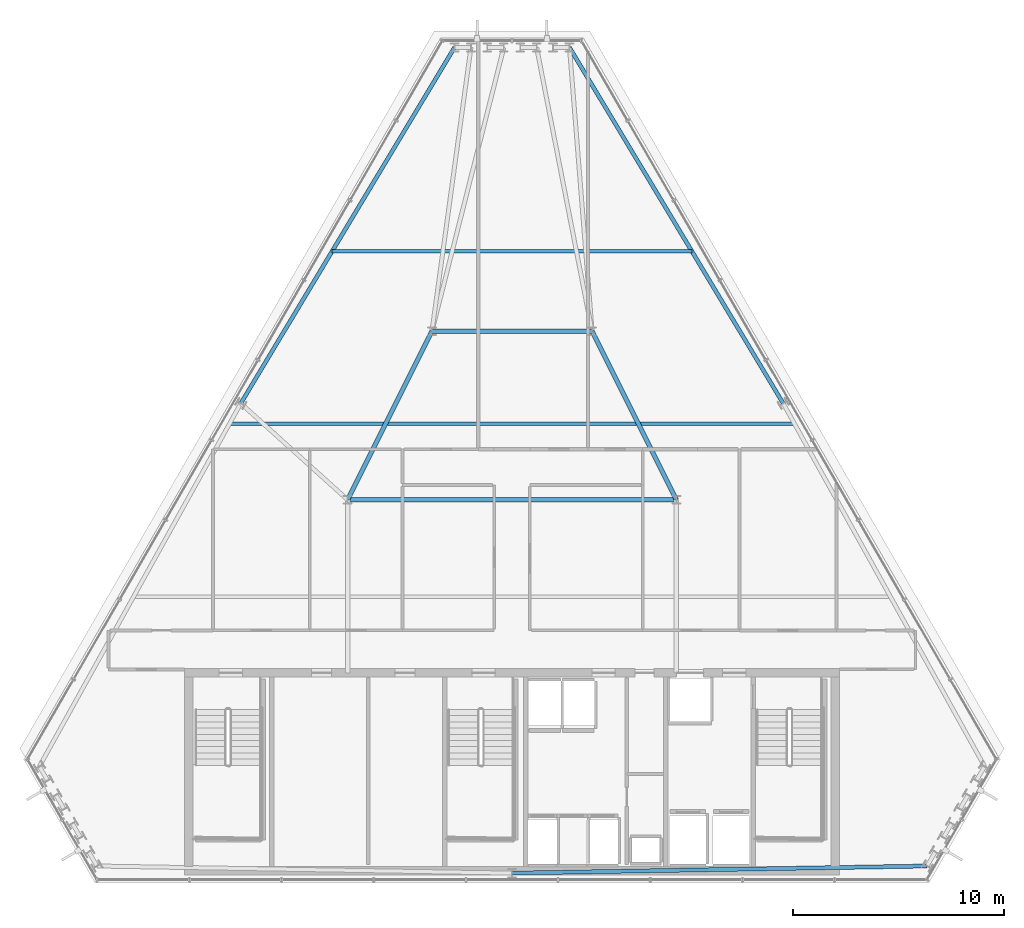
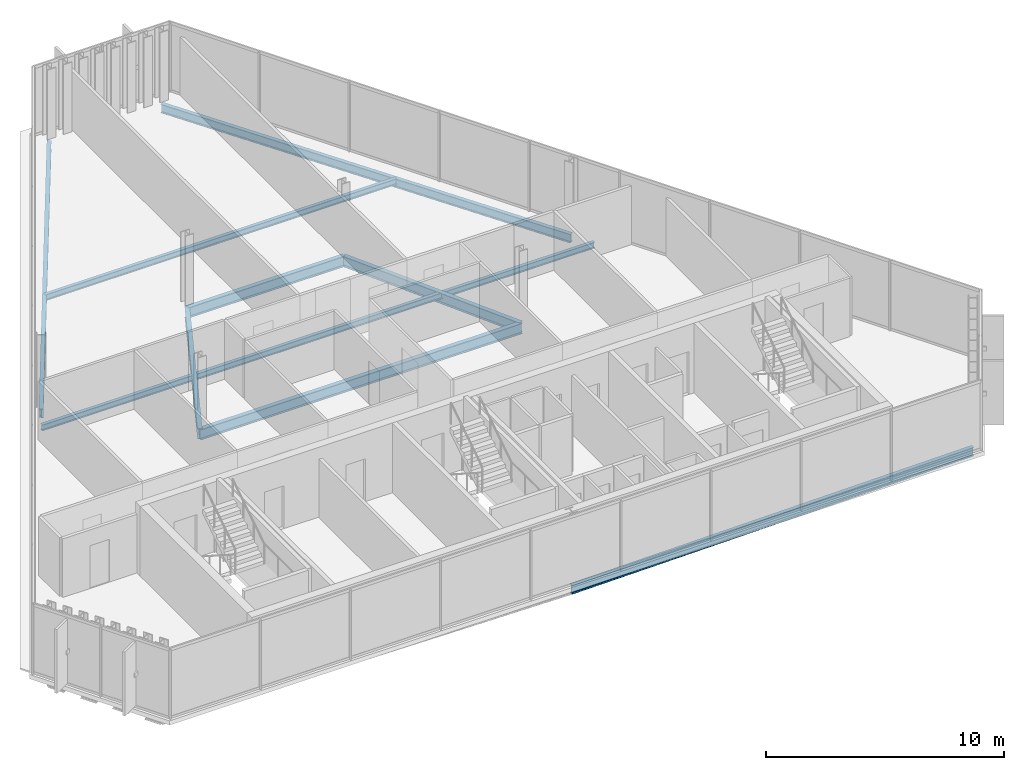
# One storey, part 13 of 29: 9 beams.
"""IFC4 building model written with IfcOpenShell, lengths in metres."""

from ifc_helpers import new_model, si_unit, direction, frame, origin, origin_2d, place, context, subcontext, project, spatial, i_section, extrude, material, material_profile, profile_set, type_object, element, save


model = new_model("IFC4")

# Units and contexts
model_context = context("Model", 3, precision=1e-05, world=origin(), true_north=direction((0.0, 1.0)))
body_context = subcontext(model_context, "Body", "Model", "MODEL_VIEW")
ifc_project = project(units=[si_unit("LENGTHUNIT", "METRE"), si_unit("AREAUNIT", "SQUARE_METRE"), si_unit("VOLUMEUNIT", "CUBIC_METRE"), si_unit("PLANEANGLEUNIT", "RADIAN"), si_unit("MASSUNIT", "GRAM", prefix="KILO")], contexts=[model_context])

# Site, building, storey
site_placement = place(None, origin())
site = spatial("IfcSite", under=ifc_project, at=site_placement, CompositionType="ELEMENT")
building_placement = place(site_placement, origin())
building = spatial("IfcBuilding", under=site, at=building_placement, Name="Ndaravel Arena Tower", CompositionType="ELEMENT")
storey_placement = place(building_placement, frame((0.0, 0.0, 240.800048828125)))
storey = spatial("IfcBuildingStorey", under=building, at=storey_placement, Name="L58", CompositionType="ELEMENT", Elevation=240.800048828125)

# Beams
ifc_material_1 = material(Name="Steel S355", Category="steel")
ifc_material_profile_1 = material_profile(ifc_material_1, i_section(OverallWidth=0.210693359375, OverallDepth=0.53955078125, WebThickness=0.01171875, FlangeThickness=0.018798828125, FilletRadius=0.0126953125, at=origin_2d()), Name="UB 533x210x109")
ifc_profile_set_1 = profile_set([ifc_material_profile_1], Name="Steel S355")
beam_type_1 = type_object("IfcBeamType", Name="BM-GIRD-UB533", PredefinedType="BEAM", material=ifc_profile_set_1)
beam_1_placement = place(storey_placement, frame((34.199951171875, 23.199951171875, -0.48974609375), z_axis=(1.0, 0.0, 0.0), x_axis=(0.0, 1.0, 0.0)))
element("IfcBeam", 1, at=beam_1_placement, inside=storey, type_object=beam_type_1, Name="L58 Spine Link Girder SLG-03", PredefinedType="BEAM", context=body_context, shape_type="SweptSolid", body=[
    extrude(i_section(OverallWidth=0.210693359375, OverallDepth=0.53955078125, WebThickness=0.01171875, FlangeThickness=0.018798828125, FilletRadius=0.0126953125, at=origin_2d()), origin(), (0.0, 0.0, 1.0), 15.60009765625),
])
for number, where, z_axis, x_axis, name in (
    (2, (34.199951171875, 23.199951171875, -0.48974609375), (0.4472135955, 0.894427191, 0.0), (-0.894427191, 0.4472135955, 0.0), "L58 Spine Link Girder SLG-04"),
    (3, (49.800048828125, 23.199951171875, -0.48974609375), (-0.4472135955, 0.894427191, 0.0), (-0.894427191, -0.4472135955, 0.0), "L58 Spine Link Girder SLG-05"),
):
    element("IfcBeam", number, at=place(storey_placement, frame(where, z_axis=z_axis, x_axis=x_axis)), inside=storey, type_object=beam_type_1, Name=name, PredefinedType="BEAM", context=body_context, shape_type="SweptSolid", body=[
        extrude(i_section(OverallWidth=0.210693359375, OverallDepth=0.53955078125, WebThickness=0.01171875, FlangeThickness=0.018798828125, FilletRadius=0.0126953125, at=origin_2d()), origin(), (0.0, 0.0, 1.0), 8.9443359375),
    ])
beam_2_placement = place(storey_placement, frame((38.199951171875, 31.199951171875, -0.48974609375), z_axis=(1.0, 0.0, 0.0), x_axis=(0.0, 1.0, 0.0)))
element("IfcBeam", 4, at=beam_2_placement, inside=storey, type_object=beam_type_1, Name="L58 Spine Link Girder SLG-06", PredefinedType="BEAM", context=body_context, shape_type="SweptSolid", body=[
    extrude(i_section(OverallWidth=0.210693359375, OverallDepth=0.53955078125, WebThickness=0.01171875, FlangeThickness=0.018798828125, FilletRadius=0.0126953125, at=origin_2d()), origin(), (0.0, 0.0, 1.0), 7.60009765625),
])
ifc_material_2 = material(Name="Steel S355", Category="steel")
ifc_material_profile_2 = material_profile(ifc_material_2, i_section(OverallWidth=0.165771484375, OverallDepth=0.306640625, WebThickness=0.006591796875, FlangeThickness=0.01171875, FilletRadius=0.0087890625, at=origin_2d()), Name="UB 305x165x46")
ifc_profile_set_2 = profile_set([ifc_material_profile_2], Name="Steel S355")
beam_type_2 = type_object("IfcBeamType", Name="BM-JOIST-UB305", PredefinedType="JOIST", material=ifc_profile_set_2)
beam_3_placement = place(storey_placement, frame((28.586181640625, 26.800048828125, -0.373291015625), z_axis=(1.0, 0.0, 0.0), x_axis=(0.0, 1.0, 0.0)))
element("IfcBeam", 5, at=beam_3_placement, inside=storey, type_object=beam_type_2, Name="L58 Composite Floor Joist FJ-02", PredefinedType="JOIST", context=body_context, shape_type="SweptSolid", body=[
    extrude(i_section(OverallWidth=0.165771484375, OverallDepth=0.306640625, WebThickness=0.006591796875, FlangeThickness=0.01171875, FilletRadius=0.0087890625, at=origin_2d()), origin(), (0.0, 0.0, 1.0), 26.82763671875),
])
beam_4_placement = place(storey_placement, frame((33.465087890625, 35.0, -0.373291015625), z_axis=(1.0, 0.0, 0.0), x_axis=(0.0, 1.0, 0.0)))
element("IfcBeam", 6, at=beam_4_placement, inside=storey, type_object=beam_type_2, Name="L58 Composite Floor Joist FJ-03", PredefinedType="JOIST", context=body_context, shape_type="SweptSolid", body=[
    extrude(i_section(OverallWidth=0.165771484375, OverallDepth=0.306640625, WebThickness=0.006591796875, FlangeThickness=0.01171875, FilletRadius=0.0087890625, at=origin_2d()), origin(), (0.0, 0.0, 1.0), 17.06982421875),
])
ifc_material_3 = material(Name="Steel S355", Category="steel")
ifc_material_profile_3 = material_profile(ifc_material_3, i_section(OverallWidth=0.18994140625, OverallDepth=0.449951171875, WebThickness=0.009521484375, FlangeThickness=0.0146484375, FilletRadius=0.02099609375, at=origin_2d()), Name="IPE 450")
ifc_profile_set_3 = profile_set([ifc_material_profile_3], Name="Steel S355")
beam_type_3 = type_object("IfcBeamType", Name="BM-SPAN-IPE450", PredefinedType="SPANDREL", material=ifc_profile_set_3)
for number, where, z_axis, x_axis, name in (
    (7, (42.0, 5.47998046875, -0.445068359375), (0.999853184589, 0.017135030412, 0.0), (-0.017135030412, 0.999853184589, 0.0), "L58 Perimeter Spandrel Beam SP-01"),
    (8, (54.87255859375, 27.77587890625, -0.445068359375), (-0.51476720981, 0.857329994637, 0.0), (-0.857329994637, -0.51476720981, 0.0), "L58 Perimeter Spandrel Beam SP-10"),
    (9, (39.27099609375, 44.669677734375, -0.445068359375), (-0.51476720981, -0.857329994637, 0.0), (0.857329994637, -0.51476720981, 0.0), "L58 Perimeter Spandrel Beam SP-18"),
):
    element("IfcBeam", number, at=place(storey_placement, frame(where, z_axis=z_axis, x_axis=x_axis)), inside=storey, type_object=beam_type_3, Name=name, PredefinedType="SPANDREL", context=body_context, shape_type="SweptSolid", body=[
        extrude(i_section(OverallWidth=0.18994140625, OverallDepth=0.449951171875, WebThickness=0.009521484375, FlangeThickness=0.0146484375, FilletRadius=0.02099609375, at=origin_2d()), origin(), (0.0, 0.0, 1.0), 19.705078125),
    ])

save(model, "model.ifc")
